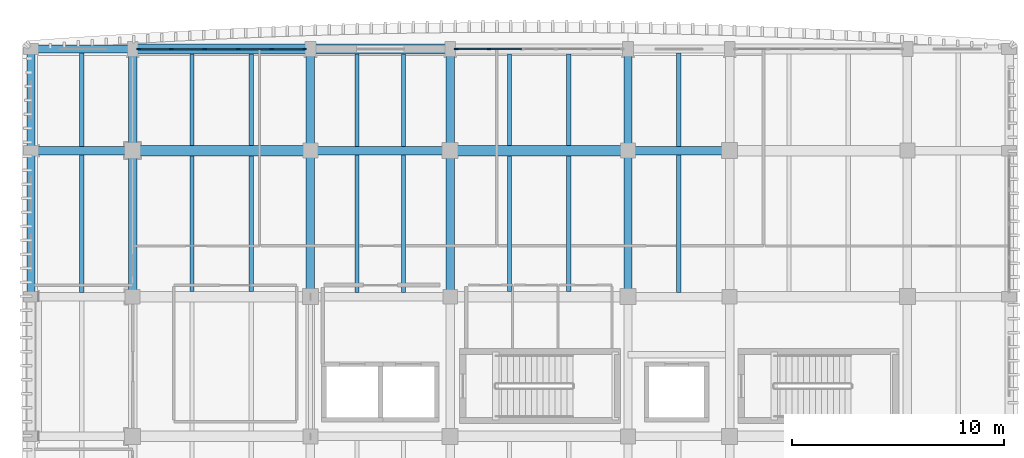
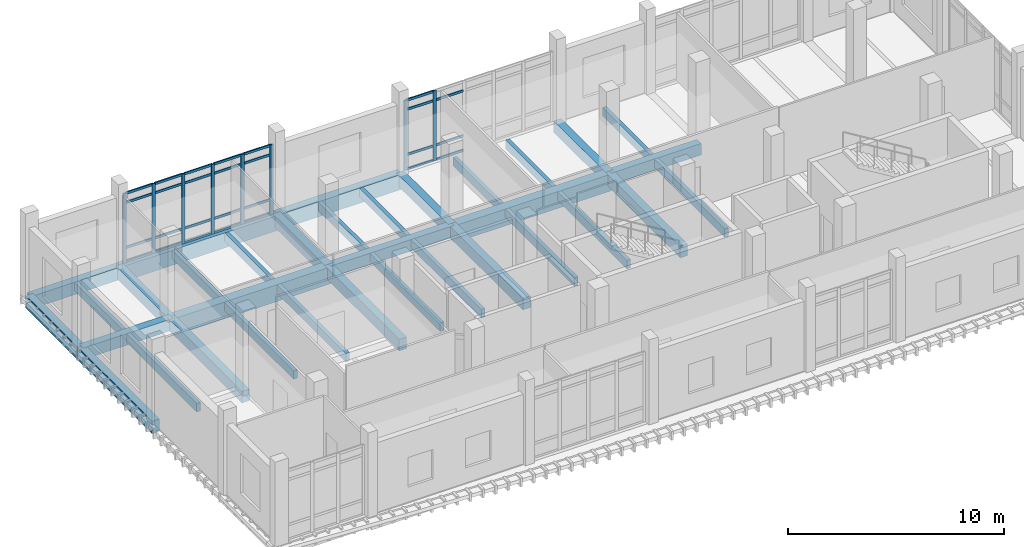
# One storey, part 17 of 76: 35 members, 34 beams, 2 elements without a shape of their own.
"""IFC4 building model written with IfcOpenShell, lengths in metres."""

from ifc_helpers import new_model, si_unit, direction, frame, origin, origin_2d, place, context, subcontext, project, spatial, rectangle, extrude, material, material_profile, profile_set, type_object, element, aggregate, save


model = new_model("IFC4")

# Units and contexts
model_context = context("Model", 3, precision=1e-05, world=origin(), true_north=direction((0.0, 1.0)))
body_context = subcontext(model_context, "Body", "Model", "MODEL_VIEW")
ifc_project = project(units=[si_unit("LENGTHUNIT", "METRE"), si_unit("AREAUNIT", "SQUARE_METRE"), si_unit("VOLUMEUNIT", "CUBIC_METRE"), si_unit("PLANEANGLEUNIT", "RADIAN"), si_unit("MASSUNIT", "GRAM", prefix="KILO")], contexts=[model_context])

# Site, building, storey
site_placement = place(None, origin())
site = spatial("IfcSite", under=ifc_project, at=site_placement, CompositionType="ELEMENT")
building_placement = place(site_placement, origin())
building = spatial("IfcBuilding", under=site, at=building_placement, Name="Dornvale Research Institute", CompositionType="ELEMENT")
storey_placement = place(building_placement, frame((0.0, 0.0, 15.0)))
storey = spatial("IfcBuildingStorey", under=building, at=storey_placement, Name="L03", CompositionType="ELEMENT", Elevation=15.0)

# Beams
ifc_material_1 = material(Name="Concrete f'c 45 MPa (C35/45)", Category="concrete")
ifc_material_profile_1 = material_profile(ifc_material_1, rectangle(XDim=0.39990234375, YDim=0.64990234375, at=origin_2d()), Name="RC 400x650")
ifc_profile_set_1 = profile_set([ifc_material_profile_1], Name="Concrete f'c 45 MPa (C35/45)")
beam_type_1 = type_object("IfcBeamType", Name="Beam_RC400x650_Floor", PredefinedType="BEAM", material=ifc_profile_set_1)
beam_1_placement = place(storey_placement, frame((0.0, 117.300048828125, -0.324951171875), z_axis=(1.0, 0.0, 0.0), x_axis=(0.0, 1.0, 0.0)))
element("IfcBeam", 1, at=beam_1_placement, inside=storey, type_object=beam_type_1, Name="L03 primary girder #870", PredefinedType="BEAM", context=body_context, shape_type="SweptSolid", body=[
    extrude(rectangle(XDim=0.39990234375, YDim=0.64990234375, at=origin_2d()), origin(), (0.0, 0.0, 1.0), 4.800048828125),
])
beam_2_placement = place(storey_placement, frame((13.199951171875, 117.300048828125, -0.324951171875), z_axis=(1.0, 0.0, 0.0), x_axis=(0.0, 1.0, 0.0)))
element("IfcBeam", 2, at=beam_2_placement, inside=storey, type_object=beam_type_1, Name="L03 primary girder #872", PredefinedType="BEAM", context=body_context, shape_type="SweptSolid", body=[
    extrude(rectangle(XDim=0.39990234375, YDim=0.64990234375, at=origin_2d()), origin(), (0.0, 0.0, 1.0), 6.60009765625),
])
beam_3_placement = place(storey_placement, frame((28.199951171875, 117.300048828125, -0.324951171875), z_axis=(1.0, 0.0, 0.0), x_axis=(0.0, 1.0, 0.0)))
element("IfcBeam", 3, at=beam_3_placement, inside=storey, type_object=beam_type_1, Name="L03 primary girder #874", PredefinedType="BEAM", context=body_context, shape_type="SweptSolid", body=[
    extrude(rectangle(XDim=0.39990234375, YDim=0.64990234375, at=origin_2d()), origin(), (0.0, 0.0, 1.0), 4.800048828125),
])
beam_4_placement = place(storey_placement, frame((4.800048828125, 110.39990234375, -0.324951171875), z_axis=(0.0, 1.0, 0.0), x_axis=(-1.0, 0.0, 0.0)))
element("IfcBeam", 4, at=beam_4_placement, inside=storey, type_object=beam_type_1, Name="L03 transverse girder #890", PredefinedType="BEAM", context=body_context, shape_type="SweptSolid", body=[
    extrude(rectangle(XDim=0.39990234375, YDim=0.64990234375, at=origin_2d()), origin(), (0.0, 0.0, 1.0), 6.900146484375),
])
beam_5_placement = place(storey_placement, frame((4.800048828125, 117.300048828125, -0.324951171875), z_axis=(0.0, 1.0, 0.0), x_axis=(-1.0, 0.0, 0.0)))
element("IfcBeam", 5, at=beam_5_placement, inside=storey, type_object=beam_type_1, Name="L03 transverse girder #891", PredefinedType="BEAM", context=body_context, shape_type="SweptSolid", body=[
    extrude(rectangle(XDim=0.39990234375, YDim=0.64990234375, at=origin_2d()), origin(), (0.0, 0.0, 1.0), 4.800048828125),
])
beam_6_placement = place(storey_placement, frame((13.199951171875, 110.39990234375, -0.324951171875), z_axis=(0.0, 1.0, 0.0), x_axis=(-1.0, 0.0, 0.0)))
element("IfcBeam", 6, at=beam_6_placement, inside=storey, type_object=beam_type_1, Name="L03 transverse girder #894", PredefinedType="BEAM", context=body_context, shape_type="SweptSolid", body=[
    extrude(rectangle(XDim=0.39990234375, YDim=0.64990234375, at=origin_2d()), origin(), (0.0, 0.0, 1.0), 6.900146484375),
])
beam_7_placement = place(storey_placement, frame((13.199951171875, 117.300048828125, -0.324951171875), z_axis=(0.0, 1.0, 0.0), x_axis=(-1.0, 0.0, 0.0)))
element("IfcBeam", 7, at=beam_7_placement, inside=storey, type_object=beam_type_1, Name="L03 transverse girder #895", PredefinedType="BEAM", context=body_context, shape_type="SweptSolid", body=[
    extrude(rectangle(XDim=0.39990234375, YDim=0.64990234375, at=origin_2d()), origin(), (0.0, 0.0, 1.0), 4.800048828125),
])
beam_8_placement = place(storey_placement, frame((19.800048828125, 110.39990234375, -0.324951171875), z_axis=(0.0, 1.0, 0.0), x_axis=(-1.0, 0.0, 0.0)))
element("IfcBeam", 8, at=beam_8_placement, inside=storey, type_object=beam_type_1, Name="L03 transverse girder #898", PredefinedType="BEAM", context=body_context, shape_type="SweptSolid", body=[
    extrude(rectangle(XDim=0.39990234375, YDim=0.64990234375, at=origin_2d()), origin(), (0.0, 0.0, 1.0), 6.900146484375),
])
beam_9_placement = place(storey_placement, frame((19.800048828125, 117.300048828125, -0.324951171875), z_axis=(0.0, 1.0, 0.0), x_axis=(-1.0, 0.0, 0.0)))
element("IfcBeam", 9, at=beam_9_placement, inside=storey, type_object=beam_type_1, Name="L03 transverse girder #899", PredefinedType="BEAM", context=body_context, shape_type="SweptSolid", body=[
    extrude(rectangle(XDim=0.39990234375, YDim=0.64990234375, at=origin_2d()), origin(), (0.0, 0.0, 1.0), 4.800048828125),
])
beam_10_placement = place(storey_placement, frame((28.199951171875, 110.39990234375, -0.324951171875), z_axis=(0.0, 1.0, 0.0), x_axis=(-1.0, 0.0, 0.0)))
element("IfcBeam", 10, at=beam_10_placement, inside=storey, type_object=beam_type_1, Name="L03 transverse girder #902", PredefinedType="BEAM", context=body_context, shape_type="SweptSolid", body=[
    extrude(rectangle(XDim=0.39990234375, YDim=0.64990234375, at=origin_2d()), origin(), (0.0, 0.0, 1.0), 6.900146484375),
])
beam_11_placement = place(storey_placement, frame((28.199951171875, 117.300048828125, -0.324951171875), z_axis=(0.0, 1.0, 0.0), x_axis=(-1.0, 0.0, 0.0)))
element("IfcBeam", 11, at=beam_11_placement, inside=storey, type_object=beam_type_1, Name="L03 transverse girder #903", PredefinedType="BEAM", context=body_context, shape_type="SweptSolid", body=[
    extrude(rectangle(XDim=0.39990234375, YDim=0.64990234375, at=origin_2d()), origin(), (0.0, 0.0, 1.0), 4.800048828125),
])
ifc_material_2 = material(Name="Concrete f'c 45 MPa (C35/45)", Category="concrete")
ifc_material_profile_2 = material_profile(ifc_material_2, rectangle(XDim=0.5, YDim=0.949951171875, at=origin_2d()), Name="RC 500x950")
ifc_profile_set_2 = profile_set([ifc_material_profile_2], Name="Concrete f'c 45 MPa (C35/45)")
beam_type_2 = type_object("IfcBeamType", Name="Beam_RC500x950_Girder", PredefinedType="BEAM", material=ifc_profile_set_2)
for number, where, z_axis, x_axis, name in (
    (12, (4.800048828125, 117.300048828125, -0.47509765625), (1.0, 0.0, 0.0), (0.0, 1.0, 0.0), "L03 primary girder #871"),
    (13, (19.800048828125, 117.300048828125, -0.47509765625), (1.0, 0.0, 0.0), (0.0, 1.0, 0.0), "L03 primary girder #873"),
):
    element("IfcBeam", number, at=place(storey_placement, frame(where, z_axis=z_axis, x_axis=x_axis)), inside=storey, type_object=beam_type_2, Name=name, PredefinedType="BEAM", context=body_context, shape_type="SweptSolid", body=[
        extrude(rectangle(XDim=0.5, YDim=0.949951171875, at=origin_2d()), origin(), (0.0, 0.0, 1.0), 8.39990234375),
    ])
ifc_material_3 = material(Name="Concrete f'c 45 MPa (C35/45)", Category="concrete")
ifc_material_profile_3 = material_profile(ifc_material_3, rectangle(XDim=0.199951171875, YDim=0.485107421875, at=origin_2d()), Name="RC 200x485")
ifc_profile_set_3 = profile_set([ifc_material_profile_3], Name="Concrete f'c 45 MPa (C35/45)")
beam_type_3 = type_object("IfcBeamType", Name="Joist_RC200x485_Rib", PredefinedType="JOIST", material=ifc_profile_set_3)
beam_12_placement = place(storey_placement, frame((2.39990234375, 110.60009765625, -0.242431640625), z_axis=(0.0, 1.0, 0.0), x_axis=(-1.0, 0.0, 0.0)))
element("IfcBeam", 14, at=beam_12_placement, inside=storey, type_object=beam_type_3, Name="L03 laboratory waffle joist #417", PredefinedType="JOIST", context=body_context, shape_type="SweptSolid", body=[
    extrude(rectangle(XDim=0.199951171875, YDim=0.485107421875, at=origin_2d()), origin(), (0.0, 0.0, 1.0), 6.5),
])
beam_13_placement = place(storey_placement, frame((2.39990234375, 117.5, -0.242431640625), z_axis=(0.0, 1.0, 0.0), x_axis=(-1.0, 0.0, 0.0)))
element("IfcBeam", 15, at=beam_13_placement, inside=storey, type_object=beam_type_3, Name="L03 laboratory waffle joist #418", PredefinedType="JOIST", context=body_context, shape_type="SweptSolid", body=[
    extrude(rectangle(XDim=0.199951171875, YDim=0.485107421875, at=origin_2d()), origin(), (0.0, 0.0, 1.0), 4.39990234375),
])
for number, where, z_axis, x_axis, name in (
    (16, (7.60009765625, 110.64990234375, -0.242431640625), (0.0, 1.0, 0.0), (-1.0, 0.0, 0.0), "L03 laboratory waffle joist #423"),
    (17, (10.39990234375, 110.64990234375, -0.242431640625), (0.0, 1.0, 0.0), (-1.0, 0.0, 0.0), "L03 laboratory waffle joist #424"),
):
    element("IfcBeam", number, at=place(storey_placement, frame(where, z_axis=z_axis, x_axis=x_axis)), inside=storey, type_object=beam_type_3, Name=name, PredefinedType="JOIST", context=body_context, shape_type="SweptSolid", body=[
        extrude(rectangle(XDim=0.199951171875, YDim=0.485107421875, at=origin_2d()), origin(), (0.0, 0.0, 1.0), 6.400146484375),
    ])
for number, where, z_axis, x_axis, name in (
    (18, (7.60009765625, 117.550048828125, -0.242431640625), (0.0, 1.0, 0.0), (-1.0, 0.0, 0.0), "L03 laboratory waffle joist #425"),
    (19, (10.39990234375, 117.550048828125, -0.242431640625), (0.0, 1.0, 0.0), (-1.0, 0.0, 0.0), "L03 laboratory waffle joist #426"),
):
    element("IfcBeam", number, at=place(storey_placement, frame(where, z_axis=z_axis, x_axis=x_axis)), inside=storey, type_object=beam_type_3, Name=name, PredefinedType="JOIST", context=body_context, shape_type="SweptSolid", body=[
        extrude(rectangle(XDim=0.199951171875, YDim=0.485107421875, at=origin_2d()), origin(), (0.0, 0.0, 1.0), 4.324951171875),
    ])
for number, where, z_axis, x_axis, name in (
    (20, (15.39990234375, 110.60009765625, -0.242431640625), (0.0, 1.0, 0.0), (-1.0, 0.0, 0.0), "L03 laboratory waffle joist #429"),
    (21, (17.60009765625, 110.60009765625, -0.242431640625), (0.0, 1.0, 0.0), (-1.0, 0.0, 0.0), "L03 laboratory waffle joist #430"),
):
    element("IfcBeam", number, at=place(storey_placement, frame(where, z_axis=z_axis, x_axis=x_axis)), inside=storey, type_object=beam_type_3, Name=name, PredefinedType="JOIST", context=body_context, shape_type="SweptSolid", body=[
        extrude(rectangle(XDim=0.199951171875, YDim=0.485107421875, at=origin_2d()), origin(), (0.0, 0.0, 1.0), 6.5),
    ])
for number, where, z_axis, x_axis, name in (
    (22, (15.39990234375, 117.5, -0.242431640625), (0.0, 1.0, 0.0), (-1.0, 0.0, 0.0), "L03 laboratory waffle joist #431"),
    (23, (17.60009765625, 117.5, -0.242431640625), (0.0, 1.0, 0.0), (-1.0, 0.0, 0.0), "L03 laboratory waffle joist #432"),
):
    element("IfcBeam", number, at=place(storey_placement, frame(where, z_axis=z_axis, x_axis=x_axis)), inside=storey, type_object=beam_type_3, Name=name, PredefinedType="JOIST", context=body_context, shape_type="SweptSolid", body=[
        extrude(rectangle(XDim=0.199951171875, YDim=0.485107421875, at=origin_2d()), origin(), (0.0, 0.0, 1.0), 4.375),
    ])
for number, where, z_axis, x_axis, name in (
    (24, (22.60009765625, 110.64990234375, -0.242431640625), (0.0, 1.0, 0.0), (-1.0, 0.0, 0.0), "L03 laboratory waffle joist #435"),
    (25, (25.39990234375, 110.64990234375, -0.242431640625), (0.0, 1.0, 0.0), (-1.0, 0.0, 0.0), "L03 laboratory waffle joist #436"),
):
    element("IfcBeam", number, at=place(storey_placement, frame(where, z_axis=z_axis, x_axis=x_axis)), inside=storey, type_object=beam_type_3, Name=name, PredefinedType="JOIST", context=body_context, shape_type="SweptSolid", body=[
        extrude(rectangle(XDim=0.199951171875, YDim=0.485107421875, at=origin_2d()), origin(), (0.0, 0.0, 1.0), 6.400146484375),
    ])
for number, where, z_axis, x_axis, name in (
    (26, (22.60009765625, 117.550048828125, -0.242431640625), (0.0, 1.0, 0.0), (-1.0, 0.0, 0.0), "L03 laboratory waffle joist #437"),
    (27, (25.39990234375, 117.550048828125, -0.242431640625), (0.0, 1.0, 0.0), (-1.0, 0.0, 0.0), "L03 laboratory waffle joist #438"),
):
    element("IfcBeam", number, at=place(storey_placement, frame(where, z_axis=z_axis, x_axis=x_axis)), inside=storey, type_object=beam_type_3, Name=name, PredefinedType="JOIST", context=body_context, shape_type="SweptSolid", body=[
        extrude(rectangle(XDim=0.199951171875, YDim=0.485107421875, at=origin_2d()), origin(), (0.0, 0.0, 1.0), 4.324951171875),
    ])
beam_14_placement = place(storey_placement, frame((30.60009765625, 110.60009765625, -0.242431640625), z_axis=(0.0, 1.0, 0.0), x_axis=(-1.0, 0.0, 0.0)))
element("IfcBeam", 28, at=beam_14_placement, inside=storey, type_object=beam_type_3, Name="L03 laboratory waffle joist #440", PredefinedType="JOIST", context=body_context, shape_type="SweptSolid", body=[
    extrude(rectangle(XDim=0.199951171875, YDim=0.485107421875, at=origin_2d()), origin(), (0.0, 0.0, 1.0), 6.5),
])
beam_15_placement = place(storey_placement, frame((30.60009765625, 117.5, -0.242431640625), z_axis=(0.0, 1.0, 0.0), x_axis=(-1.0, 0.0, 0.0)))
element("IfcBeam", 29, at=beam_15_placement, inside=storey, type_object=beam_type_3, Name="L03 laboratory waffle joist #441", PredefinedType="JOIST", context=body_context, shape_type="SweptSolid", body=[
    extrude(rectangle(XDim=0.199951171875, YDim=0.485107421875, at=origin_2d()), origin(), (0.0, 0.0, 1.0), 4.39990234375),
])

# Curtain wall, members
ifc_material_4 = material(Name="Low-E Argon Double Insulating Glazing Unit", Category="glass")
curtain_wall_type = type_object("IfcCurtainWallType", Name="UnitisedCurtainWall_V5_7900x3950", PredefinedType="USERDEFINED", material=ifc_material_4)
curtain_wall_1_placement = place(storey_placement, origin())
curtain_wall_1 = element("IfcCurtainWall", 30, at=curtain_wall_1_placement, inside=storey, type_object=curtain_wall_type, Name="L03 V5 unitised curtain wall CW-24 #148", ObjectType="UNITISED CURTAIN WALL", PredefinedType="USERDEFINED")
ifc_material_5 = material(Name="Anodized Aluminum AA 6063-T6 Thermally Broken Frame", Category="aluminium")
ifc_material_profile_4 = material_profile(ifc_material_5, rectangle(XDim=0.06494140625, YDim=0.179931640625, at=origin_2d()), Name="ALU MULLION 65x180")
ifc_profile_set_4 = profile_set([ifc_material_profile_4], Name="Anodized Aluminum AA 6063-T6 Thermally Broken Frame")
member_type_1 = type_object("IfcMemberType", Name="Mullion_CW_65x180", PredefinedType="MULLION", material=ifc_profile_set_4)
member_1_placement = place(storey_placement, frame((5.08251953125, 122.10009765625, 0.0), z_axis=(0.0, 0.0, 1.0), x_axis=(0.0, 1.0, 0.0)))
member_1 = element("IfcMember", 31, at=member_1_placement, type_object=member_type_1, Name="CW-24 mullion 1", PredefinedType="MULLION", context=body_context, shape_type="SweptSolid", body=[
    extrude(rectangle(XDim=0.06494140625, YDim=0.179931640625, at=origin_2d()), origin(), (0.0, 0.0, 1.0), 3.949951171875),
])
member_2_placement = place(storey_placement, frame((6.6298828125, 122.10009765625, 0.0), z_axis=(0.0, 0.0, 1.0), x_axis=(0.0, 1.0, 0.0)))
member_2 = element("IfcMember", 32, at=member_2_placement, type_object=member_type_1, Name="CW-24 mullion 2", PredefinedType="MULLION", context=body_context, shape_type="SweptSolid", body=[
    extrude(rectangle(XDim=0.06494140625, YDim=0.179931640625, at=origin_2d()), origin(), (0.0, 0.0, 1.0), 3.949951171875),
])
member_3_placement = place(storey_placement, frame((8.2099609375, 122.10009765625, 0.0), z_axis=(0.0, 0.0, 1.0), x_axis=(0.0, 1.0, 0.0)))
member_3 = element("IfcMember", 33, at=member_3_placement, type_object=member_type_1, Name="CW-24 mullion 3", PredefinedType="MULLION", context=body_context, shape_type="SweptSolid", body=[
    extrude(rectangle(XDim=0.06494140625, YDim=0.179931640625, at=origin_2d()), origin(), (0.0, 0.0, 1.0), 3.949951171875),
])
member_4_placement = place(storey_placement, frame((9.7900390625, 122.10009765625, 0.0), z_axis=(0.0, 0.0, 1.0), x_axis=(0.0, 1.0, 0.0)))
member_4 = element("IfcMember", 34, at=member_4_placement, type_object=member_type_1, Name="CW-24 mullion 4", PredefinedType="MULLION", context=body_context, shape_type="SweptSolid", body=[
    extrude(rectangle(XDim=0.06494140625, YDim=0.179931640625, at=origin_2d()), origin(), (0.0, 0.0, 1.0), 3.949951171875),
])
member_5_placement = place(storey_placement, frame((11.3701171875, 122.10009765625, 0.0), z_axis=(0.0, 0.0, 1.0), x_axis=(0.0, 1.0, 0.0)))
member_5 = element("IfcMember", 35, at=member_5_placement, type_object=member_type_1, Name="CW-24 mullion 5", PredefinedType="MULLION", context=body_context, shape_type="SweptSolid", body=[
    extrude(rectangle(XDim=0.06494140625, YDim=0.179931640625, at=origin_2d()), origin(), (0.0, 0.0, 1.0), 3.949951171875),
])
member_6_placement = place(storey_placement, frame((12.91748046875, 122.10009765625, 0.0), z_axis=(0.0, 0.0, 1.0), x_axis=(0.0, 1.0, 0.0)))
member_6 = element("IfcMember", 36, at=member_6_placement, type_object=member_type_1, Name="CW-24 mullion 6", PredefinedType="MULLION", context=body_context, shape_type="SweptSolid", body=[
    extrude(rectangle(XDim=0.06494140625, YDim=0.179931640625, at=origin_2d()), origin(), (0.0, 0.0, 1.0), 3.949951171875),
])

curtain_wall_2_placement = place(storey_placement, origin())
curtain_wall_2 = element("IfcCurtainWall", 37, at=curtain_wall_2_placement, inside=storey, type_object=curtain_wall_type, Name="L03 V5 unitised curtain wall CW-24 #149", ObjectType="UNITISED CURTAIN WALL", PredefinedType="USERDEFINED")
member_7_placement = place(storey_placement, frame((20.08251953125, 122.10009765625, 0.0), z_axis=(0.0, 0.0, 1.0), x_axis=(0.0, 1.0, 0.0)))
member_7 = element("IfcMember", 38, at=member_7_placement, type_object=member_type_1, Name="CW-24 mullion 1", PredefinedType="MULLION", context=body_context, shape_type="SweptSolid", body=[
    extrude(rectangle(XDim=0.06494140625, YDim=0.179931640625, at=origin_2d()), origin(), (0.0, 0.0, 1.0), 3.949951171875),
])
member_8_placement = place(storey_placement, frame((21.6298828125, 122.10009765625, 0.0), z_axis=(0.0, 0.0, 1.0), x_axis=(0.0, 1.0, 0.0)))
member_8 = element("IfcMember", 39, at=member_8_placement, type_object=member_type_1, Name="CW-24 mullion 2", PredefinedType="MULLION", context=body_context, shape_type="SweptSolid", body=[
    extrude(rectangle(XDim=0.06494140625, YDim=0.179931640625, at=origin_2d()), origin(), (0.0, 0.0, 1.0), 3.949951171875),
])

# Beams
ifc_material_6 = material(Name="Concrete f'c 45 MPa (C35/45)", Category="concrete")
ifc_material_profile_5 = material_profile(ifc_material_6, rectangle(XDim=0.39990234375, YDim=0.699951171875, at=origin_2d()), Name="RC 400x700")
ifc_profile_set_5 = profile_set([ifc_material_profile_5], Name="Concrete f'c 45 MPa (C35/45)")
beam_type_4 = type_object("IfcBeamType", Name="Spandrel_RC400x700_Ext", PredefinedType="SPANDREL", material=ifc_profile_set_5)
beam_16_placement = place(storey_placement, frame((0.0, 122.10009765625, -0.35009765625), z_axis=(1.0, 0.0, 0.0), x_axis=(0.0, 1.0, 0.0)))
element("IfcBeam", 40, at=beam_16_placement, inside=storey, type_object=beam_type_4, Name="L03 perimeter spandrel #877", PredefinedType="SPANDREL", context=body_context, shape_type="SweptSolid", body=[
    extrude(rectangle(XDim=0.39990234375, YDim=0.699951171875, at=origin_2d()), origin(), (0.0, 0.0, 1.0), 4.800048828125),
])
beam_17_placement = place(storey_placement, frame((0.0, 110.39990234375, -0.35009765625), z_axis=(0.0, 1.0, 0.0), x_axis=(-1.0, 0.0, 0.0)))
element("IfcBeam", 41, at=beam_17_placement, inside=storey, type_object=beam_type_4, Name="L03 perimeter spandrel #886", PredefinedType="SPANDREL", context=body_context, shape_type="SweptSolid", body=[
    extrude(rectangle(XDim=0.39990234375, YDim=0.699951171875, at=origin_2d()), origin(), (0.0, 0.0, 1.0), 6.900146484375),
])
beam_18_placement = place(storey_placement, frame((0.0, 117.300048828125, -0.35009765625), z_axis=(0.0, 1.0, 0.0), x_axis=(-1.0, 0.0, 0.0)))
element("IfcBeam", 42, at=beam_18_placement, inside=storey, type_object=beam_type_4, Name="L03 perimeter spandrel #887", PredefinedType="SPANDREL", context=body_context, shape_type="SweptSolid", body=[
    extrude(rectangle(XDim=0.39990234375, YDim=0.699951171875, at=origin_2d()), origin(), (0.0, 0.0, 1.0), 4.800048828125),
])
ifc_material_7 = material(Name="Concrete f'c 45 MPa (C35/45)", Category="concrete")
ifc_material_profile_6 = material_profile(ifc_material_7, rectangle(XDim=0.449951171875, YDim=0.85009765625, at=origin_2d()), Name="RC 450x850")
ifc_profile_set_6 = profile_set([ifc_material_profile_6], Name="Concrete f'c 45 MPa (C35/45)")
beam_type_5 = type_object("IfcBeamType", Name="Spandrel_RC450x850_Ext", PredefinedType="SPANDREL", material=ifc_profile_set_6)
beam_19_placement = place(storey_placement, frame((4.800048828125, 122.10009765625, -0.425048828125), z_axis=(1.0, 0.0, 0.0), x_axis=(0.0, 1.0, 0.0)))
element("IfcBeam", 43, at=beam_19_placement, inside=storey, type_object=beam_type_5, Name="L03 perimeter spandrel #878", PredefinedType="SPANDREL", context=body_context, shape_type="SweptSolid", body=[
    extrude(rectangle(XDim=0.449951171875, YDim=0.85009765625, at=origin_2d()), origin(), (0.0, 0.0, 1.0), 8.39990234375),
])
beam_20_placement = place(storey_placement, frame((13.199951171875, 122.10009765625, -0.425048828125), z_axis=(1.0, 0.0, 0.0), x_axis=(0.0, 1.0, 0.0)))
element("IfcBeam", 44, at=beam_20_placement, inside=storey, type_object=beam_type_5, Name="L03 perimeter spandrel #879", PredefinedType="SPANDREL", context=body_context, shape_type="SweptSolid", body=[
    extrude(rectangle(XDim=0.449951171875, YDim=0.85009765625, at=origin_2d()), origin(), (0.0, 0.0, 1.0), 6.60009765625),
])

# Member
ifc_material_8 = material(Name="Anodized Aluminum AA 6063-T6 Thermally Broken Frame", Category="aluminium")
ifc_material_profile_7 = material_profile(ifc_material_8, rectangle(XDim=0.06494140625, YDim=0.135009765625, at=origin_2d()), Name="ALU TRANSOM 65x135")
ifc_profile_set_7 = profile_set([ifc_material_profile_7], Name="Anodized Aluminum AA 6063-T6 Thermally Broken Frame")
member_type_2 = type_object("IfcMemberType", Name="Transom_CW_65x135", PredefinedType="USERDEFINED", material=ifc_profile_set_7)
member_9_placement = place(storey_placement, frame((5.114990234375, 122.10009765625, 0.032470703125), z_axis=(1.0, 0.0, 0.0), x_axis=(0.0, 1.0, 0.0)))
member_9 = element("IfcMember", 45, at=member_9_placement, type_object=member_type_2, Name="CW-24 transom 1.1", ObjectType="TRANSOM", PredefinedType="USERDEFINED", context=body_context, shape_type="SweptSolid", body=[
    extrude(rectangle(XDim=0.06494140625, YDim=0.135009765625, at=origin_2d()), origin(), (0.0, 0.0, 1.0), 1.482421875),
])

member_10_placement = place(storey_placement, frame((5.114990234375, 122.10009765625, 0.85009765625), z_axis=(1.0, 0.0, 0.0), x_axis=(0.0, 1.0, 0.0)))
member_10 = element("IfcMember", 46, at=member_10_placement, type_object=member_type_2, Name="CW-24 transom 1.2", ObjectType="TRANSOM", PredefinedType="USERDEFINED", context=body_context, shape_type="SweptSolid", body=[
    extrude(rectangle(XDim=0.06494140625, YDim=0.135009765625, at=origin_2d()), origin(), (0.0, 0.0, 1.0), 1.482421875),
])

member_11_placement = place(storey_placement, frame((5.114990234375, 122.10009765625, 3.39990234375), z_axis=(1.0, 0.0, 0.0), x_axis=(0.0, 1.0, 0.0)))
member_11 = element("IfcMember", 47, at=member_11_placement, type_object=member_type_2, Name="CW-24 transom 1.3", ObjectType="TRANSOM", PredefinedType="USERDEFINED", context=body_context, shape_type="SweptSolid", body=[
    extrude(rectangle(XDim=0.06494140625, YDim=0.135009765625, at=origin_2d()), origin(), (0.0, 0.0, 1.0), 1.482421875),
])

member_12_placement = place(storey_placement, frame((5.114990234375, 122.10009765625, 3.91748046875), z_axis=(1.0, 0.0, 0.0), x_axis=(0.0, 1.0, 0.0)))
member_12 = element("IfcMember", 48, at=member_12_placement, type_object=member_type_2, Name="CW-24 transom 1.4", ObjectType="TRANSOM", PredefinedType="USERDEFINED", context=body_context, shape_type="SweptSolid", body=[
    extrude(rectangle(XDim=0.06494140625, YDim=0.135009765625, at=origin_2d()), origin(), (0.0, 0.0, 1.0), 1.482421875),
])

member_13_placement = place(storey_placement, frame((6.66259765625, 122.10009765625, 0.032470703125), z_axis=(1.0, 0.0, 0.0), x_axis=(0.0, 1.0, 0.0)))
member_13 = element("IfcMember", 49, at=member_13_placement, type_object=member_type_2, Name="CW-24 transom 2.1", ObjectType="TRANSOM", PredefinedType="USERDEFINED", context=body_context, shape_type="SweptSolid", body=[
    extrude(rectangle(XDim=0.06494140625, YDim=0.135009765625, at=origin_2d()), origin(), (0.0, 0.0, 1.0), 1.514892578125),
])

member_14_placement = place(storey_placement, frame((6.66259765625, 122.10009765625, 0.85009765625), z_axis=(1.0, 0.0, 0.0), x_axis=(0.0, 1.0, 0.0)))
member_14 = element("IfcMember", 50, at=member_14_placement, type_object=member_type_2, Name="CW-24 transom 2.2", ObjectType="TRANSOM", PredefinedType="USERDEFINED", context=body_context, shape_type="SweptSolid", body=[
    extrude(rectangle(XDim=0.06494140625, YDim=0.135009765625, at=origin_2d()), origin(), (0.0, 0.0, 1.0), 1.514892578125),
])

member_15_placement = place(storey_placement, frame((6.66259765625, 122.10009765625, 3.39990234375), z_axis=(1.0, 0.0, 0.0), x_axis=(0.0, 1.0, 0.0)))
member_15 = element("IfcMember", 51, at=member_15_placement, type_object=member_type_2, Name="CW-24 transom 2.3", ObjectType="TRANSOM", PredefinedType="USERDEFINED", context=body_context, shape_type="SweptSolid", body=[
    extrude(rectangle(XDim=0.06494140625, YDim=0.135009765625, at=origin_2d()), origin(), (0.0, 0.0, 1.0), 1.514892578125),
])

member_16_placement = place(storey_placement, frame((6.66259765625, 122.10009765625, 3.91748046875), z_axis=(1.0, 0.0, 0.0), x_axis=(0.0, 1.0, 0.0)))
member_16 = element("IfcMember", 52, at=member_16_placement, type_object=member_type_2, Name="CW-24 transom 2.4", ObjectType="TRANSOM", PredefinedType="USERDEFINED", context=body_context, shape_type="SweptSolid", body=[
    extrude(rectangle(XDim=0.06494140625, YDim=0.135009765625, at=origin_2d()), origin(), (0.0, 0.0, 1.0), 1.514892578125),
])

member_17_placement = place(storey_placement, frame((8.242431640625, 122.10009765625, 0.032470703125), z_axis=(1.0, 0.0, 0.0), x_axis=(0.0, 1.0, 0.0)))
member_17 = element("IfcMember", 53, at=member_17_placement, type_object=member_type_2, Name="CW-24 transom 3.1", ObjectType="TRANSOM", PredefinedType="USERDEFINED", context=body_context, shape_type="SweptSolid", body=[
    extrude(rectangle(XDim=0.06494140625, YDim=0.135009765625, at=origin_2d()), origin(), (0.0, 0.0, 1.0), 1.51513671875),
])

member_18_placement = place(storey_placement, frame((8.242431640625, 122.10009765625, 0.85009765625), z_axis=(1.0, 0.0, 0.0), x_axis=(0.0, 1.0, 0.0)))
member_18 = element("IfcMember", 54, at=member_18_placement, type_object=member_type_2, Name="CW-24 transom 3.2", ObjectType="TRANSOM", PredefinedType="USERDEFINED", context=body_context, shape_type="SweptSolid", body=[
    extrude(rectangle(XDim=0.06494140625, YDim=0.135009765625, at=origin_2d()), origin(), (0.0, 0.0, 1.0), 1.51513671875),
])

member_19_placement = place(storey_placement, frame((8.242431640625, 122.10009765625, 3.39990234375), z_axis=(1.0, 0.0, 0.0), x_axis=(0.0, 1.0, 0.0)))
member_19 = element("IfcMember", 55, at=member_19_placement, type_object=member_type_2, Name="CW-24 transom 3.3", ObjectType="TRANSOM", PredefinedType="USERDEFINED", context=body_context, shape_type="SweptSolid", body=[
    extrude(rectangle(XDim=0.06494140625, YDim=0.135009765625, at=origin_2d()), origin(), (0.0, 0.0, 1.0), 1.51513671875),
])

member_20_placement = place(storey_placement, frame((8.242431640625, 122.10009765625, 3.91748046875), z_axis=(1.0, 0.0, 0.0), x_axis=(0.0, 1.0, 0.0)))
member_20 = element("IfcMember", 56, at=member_20_placement, type_object=member_type_2, Name="CW-24 transom 3.4", ObjectType="TRANSOM", PredefinedType="USERDEFINED", context=body_context, shape_type="SweptSolid", body=[
    extrude(rectangle(XDim=0.06494140625, YDim=0.135009765625, at=origin_2d()), origin(), (0.0, 0.0, 1.0), 1.51513671875),
])

member_21_placement = place(storey_placement, frame((9.822509765625, 122.10009765625, 0.032470703125), z_axis=(1.0, 0.0, 0.0), x_axis=(0.0, 1.0, 0.0)))
member_21 = element("IfcMember", 57, at=member_21_placement, type_object=member_type_2, Name="CW-24 transom 4.1", ObjectType="TRANSOM", PredefinedType="USERDEFINED", context=body_context, shape_type="SweptSolid", body=[
    extrude(rectangle(XDim=0.06494140625, YDim=0.135009765625, at=origin_2d()), origin(), (0.0, 0.0, 1.0), 1.514892578125),
])

member_22_placement = place(storey_placement, frame((9.822509765625, 122.10009765625, 0.85009765625), z_axis=(1.0, 0.0, 0.0), x_axis=(0.0, 1.0, 0.0)))
member_22 = element("IfcMember", 58, at=member_22_placement, type_object=member_type_2, Name="CW-24 transom 4.2", ObjectType="TRANSOM", PredefinedType="USERDEFINED", context=body_context, shape_type="SweptSolid", body=[
    extrude(rectangle(XDim=0.06494140625, YDim=0.135009765625, at=origin_2d()), origin(), (0.0, 0.0, 1.0), 1.514892578125),
])

member_23_placement = place(storey_placement, frame((9.822509765625, 122.10009765625, 3.39990234375), z_axis=(1.0, 0.0, 0.0), x_axis=(0.0, 1.0, 0.0)))
member_23 = element("IfcMember", 59, at=member_23_placement, type_object=member_type_2, Name="CW-24 transom 4.3", ObjectType="TRANSOM", PredefinedType="USERDEFINED", context=body_context, shape_type="SweptSolid", body=[
    extrude(rectangle(XDim=0.06494140625, YDim=0.135009765625, at=origin_2d()), origin(), (0.0, 0.0, 1.0), 1.514892578125),
])

member_24_placement = place(storey_placement, frame((9.822509765625, 122.10009765625, 3.91748046875), z_axis=(1.0, 0.0, 0.0), x_axis=(0.0, 1.0, 0.0)))
member_24 = element("IfcMember", 60, at=member_24_placement, type_object=member_type_2, Name="CW-24 transom 4.4", ObjectType="TRANSOM", PredefinedType="USERDEFINED", context=body_context, shape_type="SweptSolid", body=[
    extrude(rectangle(XDim=0.06494140625, YDim=0.135009765625, at=origin_2d()), origin(), (0.0, 0.0, 1.0), 1.514892578125),
])

member_25_placement = place(storey_placement, frame((11.402587890625, 122.10009765625, 0.032470703125), z_axis=(1.0, 0.0, 0.0), x_axis=(0.0, 1.0, 0.0)))
member_25 = element("IfcMember", 61, at=member_25_placement, type_object=member_type_2, Name="CW-24 transom 5.1", ObjectType="TRANSOM", PredefinedType="USERDEFINED", context=body_context, shape_type="SweptSolid", body=[
    extrude(rectangle(XDim=0.06494140625, YDim=0.135009765625, at=origin_2d()), origin(), (0.0, 0.0, 1.0), 1.482421875),
])

member_26_placement = place(storey_placement, frame((11.402587890625, 122.10009765625, 0.85009765625), z_axis=(1.0, 0.0, 0.0), x_axis=(0.0, 1.0, 0.0)))
member_26 = element("IfcMember", 62, at=member_26_placement, type_object=member_type_2, Name="CW-24 transom 5.2", ObjectType="TRANSOM", PredefinedType="USERDEFINED", context=body_context, shape_type="SweptSolid", body=[
    extrude(rectangle(XDim=0.06494140625, YDim=0.135009765625, at=origin_2d()), origin(), (0.0, 0.0, 1.0), 1.482421875),
])

member_27_placement = place(storey_placement, frame((11.402587890625, 122.10009765625, 3.39990234375), z_axis=(1.0, 0.0, 0.0), x_axis=(0.0, 1.0, 0.0)))
member_27 = element("IfcMember", 63, at=member_27_placement, type_object=member_type_2, Name="CW-24 transom 5.3", ObjectType="TRANSOM", PredefinedType="USERDEFINED", context=body_context, shape_type="SweptSolid", body=[
    extrude(rectangle(XDim=0.06494140625, YDim=0.135009765625, at=origin_2d()), origin(), (0.0, 0.0, 1.0), 1.482421875),
])

member_28_placement = place(storey_placement, frame((11.402587890625, 122.10009765625, 3.91748046875), z_axis=(1.0, 0.0, 0.0), x_axis=(0.0, 1.0, 0.0)))
member_28 = element("IfcMember", 64, at=member_28_placement, type_object=member_type_2, Name="CW-24 transom 5.4", ObjectType="TRANSOM", PredefinedType="USERDEFINED", context=body_context, shape_type="SweptSolid", body=[
    extrude(rectangle(XDim=0.06494140625, YDim=0.135009765625, at=origin_2d()), origin(), (0.0, 0.0, 1.0), 1.482421875),
])

aggregate(curtain_wall_1, [member_1, member_2, member_3, member_4, member_5, member_6, member_9, member_10, member_11, member_12, member_13, member_14, member_15, member_16, member_17, member_18, member_19, member_20, member_21, member_22, member_23, member_24, member_25, member_26, member_27, member_28])

member_29_placement = place(storey_placement, frame((20.114990234375, 122.10009765625, 0.032470703125), z_axis=(1.0, 0.0, 0.0), x_axis=(0.0, 1.0, 0.0)))
member_29 = element("IfcMember", 65, at=member_29_placement, type_object=member_type_2, Name="CW-24 transom 1.1", ObjectType="TRANSOM", PredefinedType="USERDEFINED", context=body_context, shape_type="SweptSolid", body=[
    extrude(rectangle(XDim=0.06494140625, YDim=0.135009765625, at=origin_2d()), origin(), (0.0, 0.0, 1.0), 1.482421875),
])

member_30_placement = place(storey_placement, frame((20.114990234375, 122.10009765625, 0.85009765625), z_axis=(1.0, 0.0, 0.0), x_axis=(0.0, 1.0, 0.0)))
member_30 = element("IfcMember", 66, at=member_30_placement, type_object=member_type_2, Name="CW-24 transom 1.2", ObjectType="TRANSOM", PredefinedType="USERDEFINED", context=body_context, shape_type="SweptSolid", body=[
    extrude(rectangle(XDim=0.06494140625, YDim=0.135009765625, at=origin_2d()), origin(), (0.0, 0.0, 1.0), 1.482421875),
])

member_31_placement = place(storey_placement, frame((20.114990234375, 122.10009765625, 3.39990234375), z_axis=(1.0, 0.0, 0.0), x_axis=(0.0, 1.0, 0.0)))
member_31 = element("IfcMember", 67, at=member_31_placement, type_object=member_type_2, Name="CW-24 transom 1.3", ObjectType="TRANSOM", PredefinedType="USERDEFINED", context=body_context, shape_type="SweptSolid", body=[
    extrude(rectangle(XDim=0.06494140625, YDim=0.135009765625, at=origin_2d()), origin(), (0.0, 0.0, 1.0), 1.482421875),
])

member_32_placement = place(storey_placement, frame((20.114990234375, 122.10009765625, 3.91748046875), z_axis=(1.0, 0.0, 0.0), x_axis=(0.0, 1.0, 0.0)))
member_32 = element("IfcMember", 68, at=member_32_placement, type_object=member_type_2, Name="CW-24 transom 1.4", ObjectType="TRANSOM", PredefinedType="USERDEFINED", context=body_context, shape_type="SweptSolid", body=[
    extrude(rectangle(XDim=0.06494140625, YDim=0.135009765625, at=origin_2d()), origin(), (0.0, 0.0, 1.0), 1.482421875),
])

member_33_placement = place(storey_placement, frame((21.66259765625, 122.10009765625, 0.032470703125), z_axis=(1.0, 0.0, 0.0), x_axis=(0.0, 1.0, 0.0)))
member_33 = element("IfcMember", 69, at=member_33_placement, type_object=member_type_2, Name="CW-24 transom 2.1", ObjectType="TRANSOM", PredefinedType="USERDEFINED", context=body_context, shape_type="SweptSolid", body=[
    extrude(rectangle(XDim=0.06494140625, YDim=0.135009765625, at=origin_2d()), origin(), (0.0, 0.0, 1.0), 1.514892578125),
])

member_34_placement = place(storey_placement, frame((21.66259765625, 122.10009765625, 0.85009765625), z_axis=(1.0, 0.0, 0.0), x_axis=(0.0, 1.0, 0.0)))
member_34 = element("IfcMember", 70, at=member_34_placement, type_object=member_type_2, Name="CW-24 transom 2.2", ObjectType="TRANSOM", PredefinedType="USERDEFINED", context=body_context, shape_type="SweptSolid", body=[
    extrude(rectangle(XDim=0.06494140625, YDim=0.135009765625, at=origin_2d()), origin(), (0.0, 0.0, 1.0), 1.514892578125),
])

member_35_placement = place(storey_placement, frame((21.66259765625, 122.10009765625, 3.39990234375), z_axis=(1.0, 0.0, 0.0), x_axis=(0.0, 1.0, 0.0)))
member_35 = element("IfcMember", 71, at=member_35_placement, type_object=member_type_2, Name="CW-24 transom 2.3", ObjectType="TRANSOM", PredefinedType="USERDEFINED", context=body_context, shape_type="SweptSolid", body=[
    extrude(rectangle(XDim=0.06494140625, YDim=0.135009765625, at=origin_2d()), origin(), (0.0, 0.0, 1.0), 1.514892578125),
])

aggregate(curtain_wall_2, [member_7, member_8, member_29, member_30, member_31, member_32, member_33, member_34, member_35])

save(model, "model.ifc")
